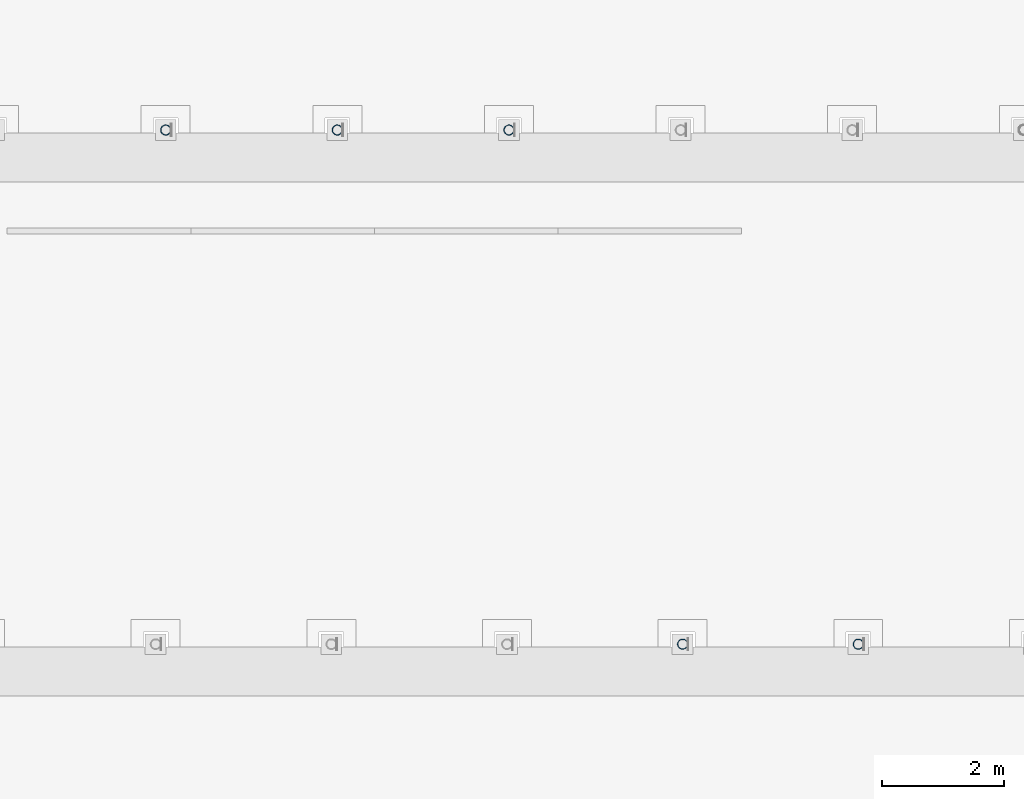
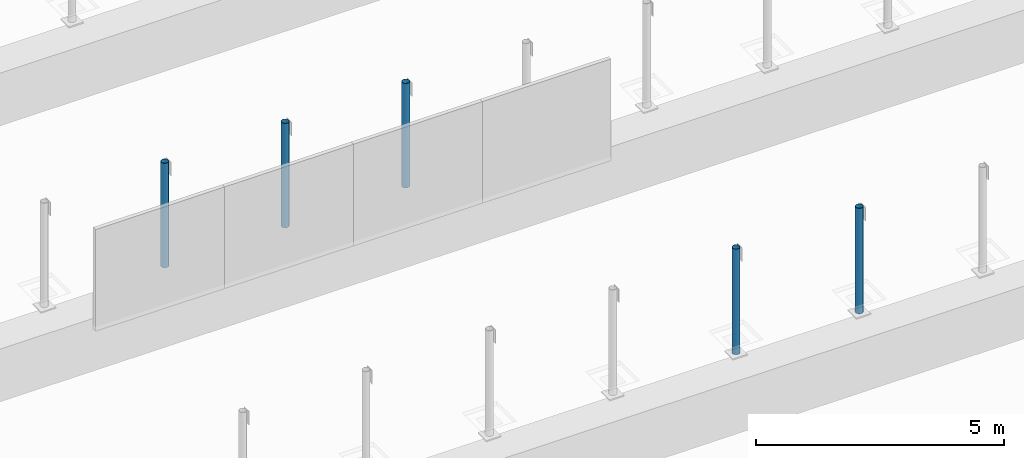
# One storey, part 5 of 47: 5 members.
"""IFC4 building model written with IfcOpenShell, lengths in metres."""

from ifc_helpers import new_model, si_unit, direction, frame, origin, origin_2d, place, context, subcontext, project, spatial, hollow_circle, extrude, material, material_profile, profile_set, type_object, element, save


model = new_model("IFC4")

# Units and contexts
model_context = context("Model", 3, precision=1e-05, world=origin(), true_north=direction((0.0, 1.0)))
body_context = subcontext(model_context, "Body", "Model", "MODEL_VIEW")
ifc_project = project(units=[si_unit("LENGTHUNIT", "METRE"), si_unit("AREAUNIT", "SQUARE_METRE"), si_unit("VOLUMEUNIT", "CUBIC_METRE"), si_unit("PLANEANGLEUNIT", "RADIAN"), si_unit("MASSUNIT", "GRAM", prefix="KILO")], contexts=[model_context])

# Site, building, storey
site_placement = place(None, origin())
site = spatial("IfcSite", under=ifc_project, at=site_placement, CompositionType="ELEMENT")
building_placement = place(site_placement, origin())
building = spatial("IfcBuilding", under=site, at=building_placement, Name="Larchfold Concert Hall", CompositionType="ELEMENT")
storey_placement = place(building_placement, frame((0.0, 0.0, 24.0)))
storey = spatial("IfcBuildingStorey", under=building, at=storey_placement, Name="L05", CompositionType="ELEMENT", Elevation=24.0)

# Members
ifc_material = material(Name="Steel S355J2H", Category="steel")
ifc_material_profile = material_profile(ifc_material, hollow_circle(Radius=0.084228515625, WallThickness=0.008056640625, at=origin_2d()))
ifc_profile_set = profile_set([ifc_material_profile], Name="Steel S355J2H")
member_type = type_object("IfcMemberType", Name="Truss post CHS 168.3x8", PredefinedType="POST", material=ifc_profile_set)
for number, where, z_axis, x_axis, name in (
    (1, (44.03515625, 68.25, 2.080078125), (0.0, 0.0, 1.0), (1.0, 0.0, 0.0), "Member TP006"),
    (2, (46.9052734375, 68.25, 2.080078125), (0.0, 0.0, 1.0), (1.0, 0.0, 0.0), "Member TP007"),
):
    element("IfcMember", number, at=place(storey_placement, frame(where, z_axis=z_axis, x_axis=x_axis)), inside=storey, type_object=member_type, Name=name, PredefinedType="POST", context=body_context, shape_type="SweptSolid", body=[
        extrude(hollow_circle(Radius=0.084228515625, WallThickness=0.008056640625, at=origin_2d()), origin(), (0.0, 0.0, 1.0), 2.594970703125),
    ])
for number, where, z_axis, x_axis, name in (
    (3, (35.589599609375, 76.650146484375, 2.080078125), (0.0, 0.0, 1.0), (1.0, 0.0, 0.0), "Member TP013"),
    (4, (38.393798828125, 76.650146484375, 2.080078125), (0.0, 0.0, 1.0), (1.0, 0.0, 0.0), "Member TP014"),
    (5, (41.197998046875, 76.650146484375, 2.080078125), (0.0, 0.0, 1.0), (1.0, 0.0, 0.0), "Member TP015"),
):
    element("IfcMember", number, at=place(storey_placement, frame(where, z_axis=z_axis, x_axis=x_axis)), inside=storey, type_object=member_type, Name=name, PredefinedType="POST", context=body_context, shape_type="SweptSolid", body=[
        extrude(hollow_circle(Radius=0.084228515625, WallThickness=0.008056640625, at=origin_2d()), origin(), (0.0, 0.0, 1.0), 2.570068359375),
    ])

save(model, "model.ifc")
